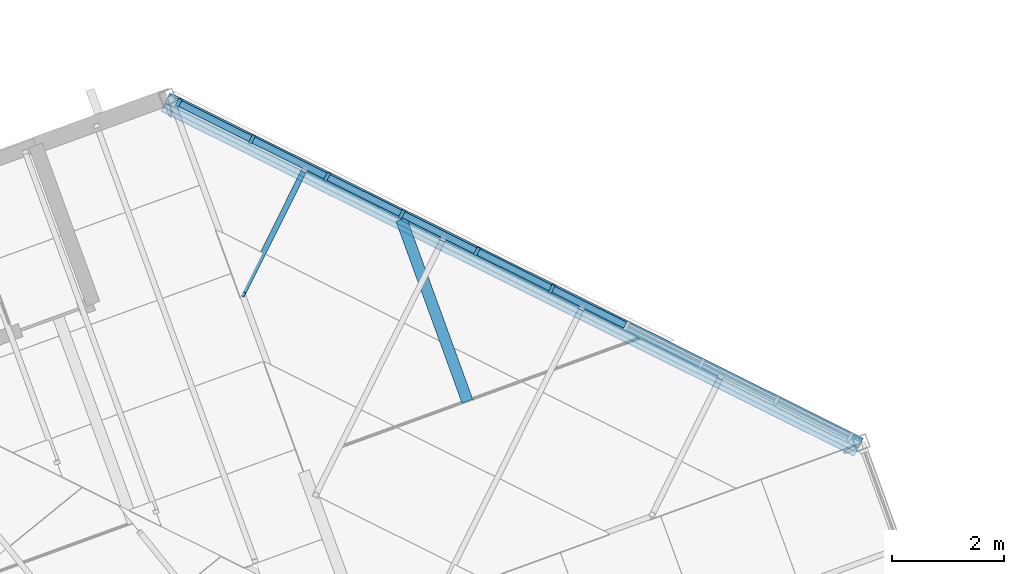
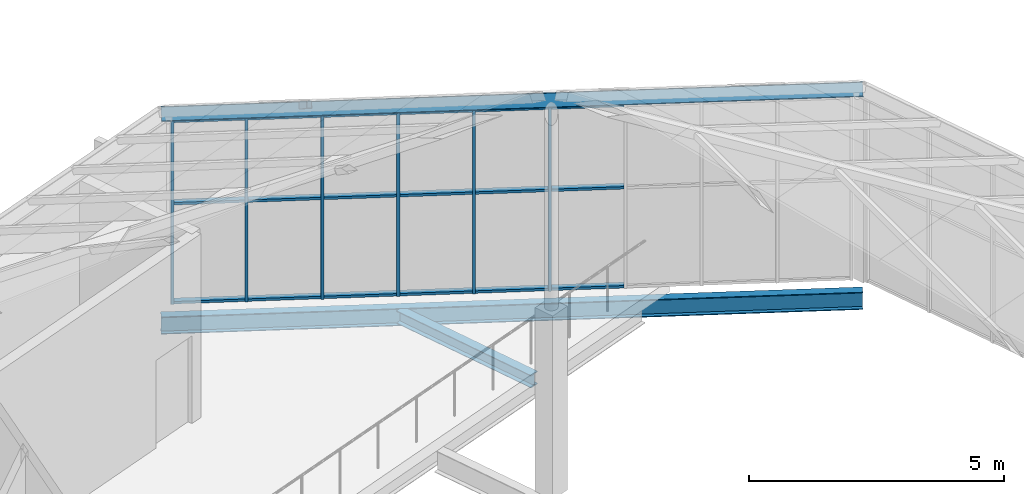
# One storey, part 26 of 95: 25 members, 3 beams, 1 element without a shape of its own.
"""IFC4 building model written with IfcOpenShell, lengths in metres."""

import ifcopenshell
import ifcopenshell.guid

model = None  # the IFC model being written
_history = None  # IfcOwnerHistory: only IFC2X3 demands one
_inside = {}  # id of a spatial element -> (the spatial element, [elements in it])
_under = {}  # id of a project, library or spatial element -> (it, [spatial elements below it])
_declared = {}  # id of a project -> (the project, [libraries it declares])
_typed = {}  # id of a type object -> (the type object, [elements of that type])
_made_of = {}  # id of a material, layer set ... -> (it, [elements and type objects made of it])


def new_model(schema):
    """Start an empty IFC model of exactly this schema.

    Asked for "IFC4X3", IfcOpenShell would pick the latest addendum, in which some entities
    have other attributes; the version numbers below select the first issue.
    IFC2X3 requires an IfcOwnerHistory on every rooted entity: one is made here for all.
    """
    global model, _history
    if schema == "IFC4X3":
        model = ifcopenshell.file(schema_version=(4, 3, 0, 0))
    else:
        model = ifcopenshell.file(schema=schema)
    _inside.clear()
    _under.clear()
    _declared.clear()
    _typed.clear()
    _made_of.clear()
    _history = None
    if model.schema == "IFC2X3":
        org = make("IfcOrganization", Name="unknown")
        user = make(
            "IfcPersonAndOrganization",
            ThePerson=make("IfcPerson", FamilyName="unknown"),
            TheOrganization=org,
        )
        app = make(
            "IfcApplication",
            ApplicationDeveloper=org,
            Version="unknown",
            ApplicationFullName="unknown",
            ApplicationIdentifier="unknown",
        )
        _history = make(
            "IfcOwnerHistory",
            OwningUser=user,
            OwningApplication=app,
            ChangeAction="ADDED",
            CreationDate=0,
        )
    return model


def make(cls, **values):
    """One entity of the class cls with the attributes given. An attribute that is None is left unset."""
    return model.create_entity(
        cls, **{name: value for name, value in values.items() if value is not None}
    )


def rooted(cls, **values):
    """An entity with a GlobalId (a new one), such as an element, a storey or a relation."""
    return make(cls, GlobalId=ifcopenshell.guid.new(), OwnerHistory=_history, **values)


def si_unit(unit_type, name, prefix=None):
    """IfcSIUnit, for example si_unit("LENGTHUNIT", "METRE", prefix="MILLI")."""
    return make("IfcSIUnit", UnitType=unit_type, Prefix=prefix, Name=name)


def assignment(units):
    """IfcUnitAssignment: the units of a project."""
    return None if units is None else make("IfcUnitAssignment", Units=units)


def point(xyz):
    """IfcCartesianPoint."""
    return None if xyz is None else make("IfcCartesianPoint", Coordinates=xyz)


def direction(xyz):
    """IfcDirection."""
    return None if xyz is None else make("IfcDirection", DirectionRatios=xyz)


def frame(location, z_axis=None, x_axis=None):
    """IfcAxis2Placement3D, a coordinate frame: its origin and axes. An axis left out is left unset."""
    return make(
        "IfcAxis2Placement3D",
        Location=point(location),
        Axis=direction(z_axis),
        RefDirection=direction(x_axis),
    )


def frame_2d(location, x_axis=None):
    """IfcAxis2Placement2D, a coordinate frame in the plane: its origin and x axis."""
    return make(
        "IfcAxis2Placement2D", Location=point(location), RefDirection=direction(x_axis)
    )


def origin():
    """The frame at (0, 0, 0) with its axes left unset."""
    return frame((0.0, 0.0, 0.0))


def origin_2d():
    """The frame at (0, 0) in the plane with its x axis left unset."""
    return frame_2d((0.0, 0.0))


def place(relative_to, where):
    """IfcLocalPlacement: puts the frame where relative to a parent placement (None: the world)."""
    return make(
        "IfcLocalPlacement", PlacementRelTo=relative_to, RelativePlacement=where
    )


def context(
    kind, dimensions, precision=None, world=None, true_north=None, identifier=None
):
    """IfcGeometricRepresentationContext, for example the 3D "Model" context."""
    return make(
        "IfcGeometricRepresentationContext",
        ContextIdentifier=identifier,
        ContextType=kind,
        CoordinateSpaceDimension=dimensions,
        Precision=precision,
        WorldCoordinateSystem=world,
        TrueNorth=true_north,
    )


def subcontext(parent, identifier, kind, view, scale=None):
    """IfcGeometricRepresentationSubContext, for example "Body" below "Model"."""
    return make(
        "IfcGeometricRepresentationSubContext",
        ContextIdentifier=identifier,
        ContextType=kind,
        ParentContext=parent,
        TargetScale=scale,
        TargetView=view,
    )


def project(units=None, contexts=None):
    """IfcProject with its units and contexts."""
    return rooted(
        "IfcProject",
        Name="project",
        RepresentationContexts=contexts,
        UnitsInContext=assignment(units),
    )


def spatial(cls, under=None, at=None, **own):
    """A site, building, storey or space (cls), placed at a placement, below another one or the project."""
    s = rooted(cls, ObjectPlacement=at, **own)
    if under is not None:
        _under.setdefault(under.id(), (under, []))[1].append(s)
    return s


def profile(cls, at=None, kind="AREA", **sizes):
    """A parametric profile (cls). Its sizes go by their IFC names, for example OverallWidth=200.0."""
    return make(cls, ProfileType=kind, Position=at, **sizes)


def rectangle(**sizes):
    """IfcRectangleProfileDef."""
    return profile("IfcRectangleProfileDef", **sizes)


def hollow_rectangle(**sizes):
    """IfcRectangleHollowProfileDef."""
    return profile("IfcRectangleHollowProfileDef", **sizes)


def i_section(**sizes):
    """IfcIShapeProfileDef."""
    return profile("IfcIShapeProfileDef", **sizes)


def extrude(swept, where, along, depth):
    """IfcExtrudedAreaSolid: the profile swept, set in the frame where, extruded along a direction by depth."""
    return make(
        "IfcExtrudedAreaSolid",
        SweptArea=swept,
        Position=where,
        ExtrudedDirection=direction(along),
        Depth=depth,
    )


def shape(context_of_items, identifier, shape_type, items):
    """IfcShapeRepresentation: the items that make up one representation, for example the "Body"."""
    return make(
        "IfcShapeRepresentation",
        ContextOfItems=context_of_items,
        RepresentationIdentifier=identifier,
        RepresentationType=shape_type,
        Items=items,
    )


def material(Name=None, Category=None):
    """IfcMaterial."""
    return make("IfcMaterial", Name=Name, Category=Category)


def layer(
    of_material, thickness, ventilated=None, Name=None, Category=None, Priority=None
):
    """IfcMaterialLayer: one layer of a wall or slab, of a material (None: an air gap)."""
    return make(
        "IfcMaterialLayer",
        Material=of_material,
        LayerThickness=thickness,
        IsVentilated=ventilated,
        Name=Name,
        Category=Category,
        Priority=Priority,
    )


def layer_set(layers, Name=None):
    """IfcMaterialLayerSet."""
    return make("IfcMaterialLayerSet", MaterialLayers=layers, LayerSetName=Name)


def material_profile(
    of_material, cross_section, Name=None, Category=None, Priority=None
):
    """IfcMaterialProfile: a cross section and its material."""
    return make(
        "IfcMaterialProfile",
        Name=Name,
        Material=of_material,
        Profile=cross_section,
        Priority=Priority,
        Category=Category,
    )


def profile_set(profiles, Name=None, composite=None):
    """IfcMaterialProfileSet."""
    return make(
        "IfcMaterialProfileSet",
        Name=Name,
        MaterialProfiles=profiles,
        CompositeProfile=composite,
    )


def made_of(thing, what):
    """Note that an element or type object is made of a material, layer set ...; save() writes the relation."""
    if what is not None:
        _made_of.setdefault(what.id(), (what, []))[1].append(thing)
    return thing


def type_object(cls, material=None, **own):
    """A type object (cls), such as IfcWallType, which elements share."""
    return made_of(rooted(cls, **own), material)


def element(
    cls,
    number,
    at=None,
    inside=None,
    cuts=None,
    type_object=None,
    material=None,
    context=None,
    identifier="Body",
    shape_type=None,
    held_by="IfcProductDefinitionShape",
    body=None,
    shapes=None,
    **own,
):
    """One element of the class cls, such as IfcWall. Its Tag is "e" and its number.

    at: its placement. inside: the storey or other place that contains it. cuts: it is an
    opening in that element (IfcRelVoidsElement). A single representation is given by context,
    identifier, shape_type and body (its items); several are given by shapes. held_by: the class
    of the entity that holds the representations. save() writes the other relations.
    """
    e = rooted(cls, Tag="e%d" % number, ObjectPlacement=at, **own)
    if body is not None:
        shapes = [shape(context, identifier, shape_type, body)]
    if shapes is not None:
        e.Representation = make(held_by, Representations=shapes)
    if inside is not None:
        _inside.setdefault(inside.id(), (inside, []))[1].append(e)
    if cuts is not None:
        rooted(
            "IfcRelVoidsElement", RelatingBuildingElement=cuts, RelatedOpeningElement=e
        )
    if type_object is not None:
        _typed.setdefault(type_object.id(), (type_object, []))[1].append(e)
    return made_of(e, material)


def aggregate(whole, parts):
    """IfcRelAggregates: a whole, such as a stair, and the parts it consists of."""
    return rooted("IfcRelAggregates", RelatingObject=whole, RelatedObjects=parts)


def save(model, path):
    """Write the relations noted so far, then the file.

    IfcRelAggregates (storeys below a building ...), IfcRelContainedInSpatialStructure (elements
    in a storey), IfcRelDefinesByType, IfcRelAssociatesMaterial and IfcRelDeclares: one each for
    every whole, place, type object, material and project.
    """
    for whole, parts in _under.values():
        aggregate(whole, parts)
    for where, things in _inside.values():
        rooted(
            "IfcRelContainedInSpatialStructure",
            RelatedElements=things,
            RelatingStructure=where,
        )
    for kind, things in _typed.values():
        rooted("IfcRelDefinesByType", RelatedObjects=things, RelatingType=kind)
    for what, things in _made_of.values():
        rooted("IfcRelAssociatesMaterial", RelatedObjects=things, RelatingMaterial=what)
    for by, libraries in _declared.values():
        rooted("IfcRelDeclares", RelatingContext=by, RelatedDefinitions=libraries)
    model.write(path)


model = new_model("IFC4")

# Units and contexts
model_context = context("Model", 3, precision=1e-05, world=origin(), true_north=direction((0.0, 1.0)))
body_context = subcontext(model_context, "Body", "Model", "MODEL_VIEW")
ifc_project = project(units=[si_unit("LENGTHUNIT", "METRE"), si_unit("AREAUNIT", "SQUARE_METRE"), si_unit("VOLUMEUNIT", "CUBIC_METRE"), si_unit("PLANEANGLEUNIT", "RADIAN"), si_unit("MASSUNIT", "GRAM", prefix="KILO")], contexts=[model_context])

# Site, building, storey
site_placement = place(None, origin())
site = spatial("IfcSite", under=ifc_project, at=site_placement, CompositionType="ELEMENT")
building_placement = place(site_placement, origin())
building = spatial("IfcBuilding", under=site, at=building_placement, Name="Windward Yard Aquatics Centre", CompositionType="ELEMENT")
storey_placement = place(building_placement, frame((0.0, 0.0, 9.39990234375)))
storey = spatial("IfcBuildingStorey", under=building, at=storey_placement, Name="L02", CompositionType="ELEMENT", Elevation=9.39990234375)

# Member
ifc_material_1 = material(Name="Steel S355", Category="steel")
ifc_material_profile_1 = material_profile(ifc_material_1, hollow_rectangle(XDim=0.10009765625, YDim=0.14990234375, WallThickness=0.006103515625, at=origin_2d()), Name="RHS150x100x6")
ifc_profile_set_1 = profile_set([ifc_material_profile_1], Name="Steel S355")
member_type_1 = type_object("IfcMemberType", Name="F RHS150x100x6 rafter", PredefinedType="RAFTER", material=ifc_profile_set_1)
member_1_placement = place(storey_placement, frame((33.947998046875, 103.359375, 4.6591796875), z_axis=(-0.364460338987, -0.731906734781, 0.575744034175), x_axis=(0.895156415664, -0.44575216376, 0.0)))
element("IfcMember", 1, at=member_1_placement, inside=storey, type_object=member_type_1, Name="F.RF.R.04.01", PredefinedType="RAFTER", context=body_context, shape_type="SweptSolid", body=[
    extrude(hollow_rectangle(XDim=0.10009765625, YDim=0.14990234375, WallThickness=0.006103515625, at=origin_2d()), origin(), (0.0, 0.0, 1.0), 3.025146484375),
])

# Beams
ifc_material_profile_2 = material_profile(ifc_material_1, i_section(OverallWidth=0.202880859375, OverallDepth=0.302001953125, WebThickness=0.007568359375, FlangeThickness=0.01318359375, at=origin_2d()), Name="W310x60")
ifc_profile_set_2 = profile_set([ifc_material_profile_2], Name="Steel S355")
beam_type_1 = type_object("IfcBeamType", Name="F W310x60 beam", PredefinedType="BEAM", material=ifc_profile_set_2)
beam_1_placement = place(storey_placement, frame((43.80615234375, 98.402099609375, 4.59716796875), z_axis=(-0.895176425492, 0.4457119779, 0.0), x_axis=(-0.364425484399, -0.731919083753, 0.575750398314)))
element("IfcBeam", 2, at=beam_1_placement, inside=storey, type_object=beam_type_1, Name="F.RF.E.17", PredefinedType="BEAM", context=body_context, shape_type="SweptSolid", body=[
    extrude(i_section(OverallWidth=0.202880859375, OverallDepth=0.302001953125, WebThickness=0.007568359375, FlangeThickness=0.01318359375, at=origin_2d()), origin(), (0.0, 0.0, 1.0), 13.79296875),
])
ifc_material_profile_3 = material_profile(ifc_material_1, i_section(OverallWidth=0.202880859375, OverallDepth=0.302001953125, WebThickness=0.007568359375, FlangeThickness=0.01318359375, at=origin_2d()), Name="W310x60")
ifc_profile_set_3 = profile_set([ifc_material_profile_3], Name="Steel S355")
beam_type_2 = type_object("IfcBeamType", Name="F W310x60 joist", PredefinedType="JOIST", material=ifc_profile_set_3)
beam_2_placement = place(storey_placement, frame((36.845703125, 99.236328125, -0.430908203125), z_axis=(-0.342027569468, 0.939689917858, 0.0), x_axis=(-0.939689917858, -0.342027569468, 0.0)))
element("IfcBeam", 3, at=beam_2_placement, inside=storey, type_object=beam_type_2, Name="F.BM.L02.S11", PredefinedType="JOIST", context=body_context, shape_type="SweptSolid", body=[
    extrude(i_section(OverallWidth=0.202880859375, OverallDepth=0.302001953125, WebThickness=0.007568359375, FlangeThickness=0.01318359375, at=origin_2d()), origin(), (0.0, 0.0, 1.0), 3.44482421875),
])
ifc_material_profile_4 = material_profile(ifc_material_1, i_section(OverallWidth=0.180908203125, OverallDepth=0.4169921875, WebThickness=0.010986328125, FlangeThickness=0.018310546875, at=origin_2d()), Name="W410x85")
ifc_profile_set_4 = profile_set([ifc_material_profile_4], Name="Steel S355")
beam_type_3 = type_object("IfcBeamType", Name="F W410x85 beam", PredefinedType="BEAM", material=ifc_profile_set_4)
beam_3_placement = place(storey_placement, frame((43.854248046875, 98.498291015625, -0.48828125), z_axis=(-0.895179941741, 0.445704915729, 0.0), x_axis=(-0.445704915729, -0.895179941741, 0.0)))
element("IfcBeam", 4, at=beam_3_placement, inside=storey, type_object=beam_type_3, Name="F.BM.L02.R03", PredefinedType="BEAM", context=body_context, shape_type="SweptSolid", body=[
    extrude(i_section(OverallWidth=0.180908203125, OverallDepth=0.4169921875, WebThickness=0.010986328125, FlangeThickness=0.018310546875, at=origin_2d()), origin(), (0.0, 0.0, 1.0), 13.793212890625),
])

# Curtain wall, members
ifc_material_2 = material(Name="Aluminium, anodised", Category="aluminium")
ifc_layer = layer(ifc_material_2, 0.14990234375)
ifc_layer_set = layer_set([ifc_layer], Name="F curtain wall 150 aluminium")
curtain_wall_type = type_object("IfcCurtainWallType", Name="F curtain wall 150 aluminium", PredefinedType="NOTDEFINED", material=ifc_layer_set)
curtain_wall_placement = place(storey_placement, origin())
curtain_wall = element("IfcCurtainWall", 5, at=curtain_wall_placement, inside=storey, type_object=curtain_wall_type, Name="Foyer glazing L02 2", PredefinedType="NOTDEFINED")
ifc_material_profile_5 = material_profile(ifc_material_2, rectangle(XDim=0.159912109375, YDim=0.06005859375, at=origin_2d()), Name="MULLION 60x160")
ifc_profile_set_5 = profile_set([ifc_material_profile_5], Name="Aluminium, anodised")
member_type_2 = type_object("IfcMemberType", Name="F mullion 60x160 aluminium", PredefinedType="MULLION", material=ifc_profile_set_5)
member_2_placement = place(storey_placement, frame((38.34765625, 101.240234375, 0.0), z_axis=(0.0, 0.0, 1.0), x_axis=(-0.445706968105, -0.895178919872, 0.0)))
member_2 = element("IfcMember", 6, at=member_2_placement, type_object=member_type_2, Name="FCW2 mullion 5", PredefinedType="MULLION", context=body_context, shape_type="SweptSolid", body=[
    extrude(rectangle(XDim=0.159912109375, YDim=0.06005859375, at=origin_2d()), origin(), (0.0, 0.0, 1.0), 4.400146484375),
])
member_3_placement = place(storey_placement, frame((37.013427734375, 101.904296875, 0.0), z_axis=(0.0, 0.0, 1.0), x_axis=(-0.445706968105, -0.895178919872, 0.0)))
member_3 = element("IfcMember", 7, at=member_3_placement, type_object=member_type_2, Name="FCW2 mullion 6", PredefinedType="MULLION", context=body_context, shape_type="SweptSolid", body=[
    extrude(rectangle(XDim=0.159912109375, YDim=0.06005859375, at=origin_2d()), origin(), (0.0, 0.0, 1.0), 4.400146484375),
])
member_4_placement = place(storey_placement, frame((35.679443359375, 102.568603515625, 0.0), z_axis=(0.0, 0.0, 1.0), x_axis=(-0.445706968105, -0.895178919872, 0.0)))
member_4 = element("IfcMember", 8, at=member_4_placement, type_object=member_type_2, Name="FCW2 mullion 7", PredefinedType="MULLION", context=body_context, shape_type="SweptSolid", body=[
    extrude(rectangle(XDim=0.159912109375, YDim=0.06005859375, at=origin_2d()), origin(), (0.0, 0.0, 1.0), 4.400146484375),
])
member_5_placement = place(storey_placement, frame((34.34521484375, 103.23291015625, 0.0), z_axis=(0.0, 0.0, 1.0), x_axis=(-0.445706968105, -0.895178919872, 0.0)))
member_5 = element("IfcMember", 9, at=member_5_placement, type_object=member_type_2, Name="FCW2 mullion 8", PredefinedType="MULLION", context=body_context, shape_type="SweptSolid", body=[
    extrude(rectangle(XDim=0.159912109375, YDim=0.06005859375, at=origin_2d()), origin(), (0.0, 0.0, 1.0), 4.400146484375),
])
member_6_placement = place(storey_placement, frame((33.01123046875, 103.897216796875, 0.0), z_axis=(0.0, 0.0, 1.0), x_axis=(-0.445706968105, -0.895178919872, 0.0)))
member_6 = element("IfcMember", 10, at=member_6_placement, type_object=member_type_2, Name="FCW2 mullion 9", PredefinedType="MULLION", context=body_context, shape_type="SweptSolid", body=[
    extrude(rectangle(XDim=0.159912109375, YDim=0.06005859375, at=origin_2d()), origin(), (0.0, 0.0, 1.0), 4.400146484375),
])
member_7_placement = place(storey_placement, frame((31.703857421875, 104.548095703125, 0.0), z_axis=(0.0, 0.0, 1.0), x_axis=(-0.445706968105, -0.895178919872, 0.0)))
member_7 = element("IfcMember", 11, at=member_7_placement, type_object=member_type_2, Name="FCW2 mullion 10", PredefinedType="MULLION", context=body_context, shape_type="SweptSolid", body=[
    extrude(rectangle(XDim=0.159912109375, YDim=0.06005859375, at=origin_2d()), origin(), (0.0, 0.0, 1.0), 4.400146484375),
])
ifc_material_profile_6 = material_profile(ifc_material_2, rectangle(XDim=0.1201171875, YDim=0.06005859375, at=origin_2d()), Name="TRANSOM 60x120")
ifc_profile_set_6 = profile_set([ifc_material_profile_6], Name="Aluminium, anodised")
member_type_3 = type_object("IfcMemberType", Name="F transom 60x120 aluminium", PredefinedType="USERDEFINED", material=ifc_profile_set_6)
member_8_placement = place(storey_placement, frame((39.65478515625, 100.58935546875, 0.030029296875), z_axis=(-0.895177031521, 0.445710760737, 0.0), x_axis=(-0.445710760737, -0.895177031521, 0.0)))
member_8 = element("IfcMember", 12, at=member_8_placement, type_object=member_type_3, Name="FCW2 transom 4.1", ObjectType="TRANSOM", PredefinedType="USERDEFINED", context=body_context, shape_type="SweptSolid", body=[
    extrude(rectangle(XDim=0.1201171875, YDim=0.06005859375, at=origin_2d()), origin(), (0.0, 0.0, 1.0), 1.43017578125),
])
member_9_placement = place(storey_placement, frame((39.65478515625, 100.58935546875, 2.400146484375), z_axis=(-0.895177031521, 0.445710760737, 0.0), x_axis=(-0.445710760737, -0.895177031521, 0.0)))
member_9 = element("IfcMember", 13, at=member_9_placement, type_object=member_type_3, Name="FCW2 transom 4.2", ObjectType="TRANSOM", PredefinedType="USERDEFINED", context=body_context, shape_type="SweptSolid", body=[
    extrude(rectangle(XDim=0.1201171875, YDim=0.06005859375, at=origin_2d()), origin(), (0.0, 0.0, 1.0), 1.43017578125),
])
member_10_placement = place(storey_placement, frame((39.65478515625, 100.58935546875, 4.3701171875), z_axis=(-0.895177031521, 0.445710760737, 0.0), x_axis=(-0.445710760737, -0.895177031521, 0.0)))
member_10 = element("IfcMember", 14, at=member_10_placement, type_object=member_type_3, Name="FCW2 transom 4.3", ObjectType="TRANSOM", PredefinedType="USERDEFINED", context=body_context, shape_type="SweptSolid", body=[
    extrude(rectangle(XDim=0.1201171875, YDim=0.06005859375, at=origin_2d()), origin(), (0.0, 0.0, 1.0), 1.43017578125),
])
member_11_placement = place(storey_placement, frame((38.32080078125, 101.25341796875, 0.030029296875), z_axis=(-0.895142839047, 0.445779427186, 0.0), x_axis=(-0.445779427186, -0.895142839047, 0.0)))
member_11 = element("IfcMember", 15, at=member_11_placement, type_object=member_type_3, Name="FCW2 transom 5.1", ObjectType="TRANSOM", PredefinedType="USERDEFINED", context=body_context, shape_type="SweptSolid", body=[
    extrude(rectangle(XDim=0.1201171875, YDim=0.06005859375, at=origin_2d()), origin(), (0.0, 0.0, 1.0), 1.430419921875),
])
member_12_placement = place(storey_placement, frame((38.32080078125, 101.25341796875, 2.400146484375), z_axis=(-0.895142839047, 0.445779427186, 0.0), x_axis=(-0.445779427186, -0.895142839047, 0.0)))
member_12 = element("IfcMember", 16, at=member_12_placement, type_object=member_type_3, Name="FCW2 transom 5.2", ObjectType="TRANSOM", PredefinedType="USERDEFINED", context=body_context, shape_type="SweptSolid", body=[
    extrude(rectangle(XDim=0.1201171875, YDim=0.06005859375, at=origin_2d()), origin(), (0.0, 0.0, 1.0), 1.430419921875),
])
member_13_placement = place(storey_placement, frame((38.32080078125, 101.25341796875, 4.3701171875), z_axis=(-0.895142839047, 0.445779427186, 0.0), x_axis=(-0.445779427186, -0.895142839047, 0.0)))
member_13 = element("IfcMember", 17, at=member_13_placement, type_object=member_type_3, Name="FCW2 transom 5.3", ObjectType="TRANSOM", PredefinedType="USERDEFINED", context=body_context, shape_type="SweptSolid", body=[
    extrude(rectangle(XDim=0.1201171875, YDim=0.06005859375, at=origin_2d()), origin(), (0.0, 0.0, 1.0), 1.430419921875),
])
member_14_placement = place(storey_placement, frame((36.986572265625, 101.917724609375, 0.030029296875), z_axis=(-0.895177031521, 0.445710760737, 0.0), x_axis=(-0.445710760737, -0.895177031521, 0.0)))
member_14 = element("IfcMember", 18, at=member_14_placement, type_object=member_type_3, Name="FCW2 transom 6.1", ObjectType="TRANSOM", PredefinedType="USERDEFINED", context=body_context, shape_type="SweptSolid", body=[
    extrude(rectangle(XDim=0.1201171875, YDim=0.06005859375, at=origin_2d()), origin(), (0.0, 0.0, 1.0), 1.43017578125),
])
member_15_placement = place(storey_placement, frame((36.986572265625, 101.917724609375, 2.400146484375), z_axis=(-0.895177031521, 0.445710760737, 0.0), x_axis=(-0.445710760737, -0.895177031521, 0.0)))
member_15 = element("IfcMember", 19, at=member_15_placement, type_object=member_type_3, Name="FCW2 transom 6.2", ObjectType="TRANSOM", PredefinedType="USERDEFINED", context=body_context, shape_type="SweptSolid", body=[
    extrude(rectangle(XDim=0.1201171875, YDim=0.06005859375, at=origin_2d()), origin(), (0.0, 0.0, 1.0), 1.43017578125),
])
member_16_placement = place(storey_placement, frame((36.986572265625, 101.917724609375, 4.3701171875), z_axis=(-0.895177031521, 0.445710760737, 0.0), x_axis=(-0.445710760737, -0.895177031521, 0.0)))
member_16 = element("IfcMember", 20, at=member_16_placement, type_object=member_type_3, Name="FCW2 transom 6.3", ObjectType="TRANSOM", PredefinedType="USERDEFINED", context=body_context, shape_type="SweptSolid", body=[
    extrude(rectangle(XDim=0.1201171875, YDim=0.06005859375, at=origin_2d()), origin(), (0.0, 0.0, 1.0), 1.43017578125),
])
member_17_placement = place(storey_placement, frame((35.652587890625, 102.58203125, 0.030029296875), z_axis=(-0.895210935678, 0.445642660258, 0.0), x_axis=(-0.445642660258, -0.895210935678, 0.0)))
member_17 = element("IfcMember", 21, at=member_17_placement, type_object=member_type_3, Name="FCW2 transom 7.1", ObjectType="TRANSOM", PredefinedType="USERDEFINED", context=body_context, shape_type="SweptSolid", body=[
    extrude(rectangle(XDim=0.1201171875, YDim=0.06005859375, at=origin_2d()), origin(), (0.0, 0.0, 1.0), 1.430419921875),
])
member_18_placement = place(storey_placement, frame((35.652587890625, 102.58203125, 2.400146484375), z_axis=(-0.895210935678, 0.445642660258, 0.0), x_axis=(-0.445642660258, -0.895210935678, 0.0)))
member_18 = element("IfcMember", 22, at=member_18_placement, type_object=member_type_3, Name="FCW2 transom 7.2", ObjectType="TRANSOM", PredefinedType="USERDEFINED", context=body_context, shape_type="SweptSolid", body=[
    extrude(rectangle(XDim=0.1201171875, YDim=0.06005859375, at=origin_2d()), origin(), (0.0, 0.0, 1.0), 1.430419921875),
])
member_19_placement = place(storey_placement, frame((35.652587890625, 102.58203125, 4.3701171875), z_axis=(-0.895210935678, 0.445642660258, 0.0), x_axis=(-0.445642660258, -0.895210935678, 0.0)))
member_19 = element("IfcMember", 23, at=member_19_placement, type_object=member_type_3, Name="FCW2 transom 7.3", ObjectType="TRANSOM", PredefinedType="USERDEFINED", context=body_context, shape_type="SweptSolid", body=[
    extrude(rectangle(XDim=0.1201171875, YDim=0.06005859375, at=origin_2d()), origin(), (0.0, 0.0, 1.0), 1.430419921875),
])
member_20_placement = place(storey_placement, frame((34.318359375, 103.246337890625, 0.030029296875), z_axis=(-0.895177031521, 0.445710760737, 0.0), x_axis=(-0.445710760737, -0.895177031521, 0.0)))
member_20 = element("IfcMember", 24, at=member_20_placement, type_object=member_type_3, Name="FCW2 transom 8.1", ObjectType="TRANSOM", PredefinedType="USERDEFINED", context=body_context, shape_type="SweptSolid", body=[
    extrude(rectangle(XDim=0.1201171875, YDim=0.06005859375, at=origin_2d()), origin(), (0.0, 0.0, 1.0), 1.43017578125),
])
member_21_placement = place(storey_placement, frame((34.318359375, 103.246337890625, 2.400146484375), z_axis=(-0.895177031521, 0.445710760737, 0.0), x_axis=(-0.445710760737, -0.895177031521, 0.0)))
member_21 = element("IfcMember", 25, at=member_21_placement, type_object=member_type_3, Name="FCW2 transom 8.2", ObjectType="TRANSOM", PredefinedType="USERDEFINED", context=body_context, shape_type="SweptSolid", body=[
    extrude(rectangle(XDim=0.1201171875, YDim=0.06005859375, at=origin_2d()), origin(), (0.0, 0.0, 1.0), 1.43017578125),
])
member_22_placement = place(storey_placement, frame((34.318359375, 103.246337890625, 4.3701171875), z_axis=(-0.895177031521, 0.445710760737, 0.0), x_axis=(-0.445710760737, -0.895177031521, 0.0)))
member_22 = element("IfcMember", 26, at=member_22_placement, type_object=member_type_3, Name="FCW2 transom 8.3", ObjectType="TRANSOM", PredefinedType="USERDEFINED", context=body_context, shape_type="SweptSolid", body=[
    extrude(rectangle(XDim=0.1201171875, YDim=0.06005859375, at=origin_2d()), origin(), (0.0, 0.0, 1.0), 1.43017578125),
])
member_23_placement = place(storey_placement, frame((32.984375, 103.910400390625, 0.030029296875), z_axis=(-0.895158156734, 0.445748667336, 0.0), x_axis=(-0.445748667336, -0.895158156734, 0.0)))
member_23 = element("IfcMember", 27, at=member_23_placement, type_object=member_type_3, Name="FCW2 transom 9.1", ObjectType="TRANSOM", PredefinedType="USERDEFINED", context=body_context, shape_type="SweptSolid", body=[
    extrude(rectangle(XDim=0.1201171875, YDim=0.06005859375, at=origin_2d()), origin(), (0.0, 0.0, 1.0), 1.400390625),
])
member_24_placement = place(storey_placement, frame((32.984375, 103.910400390625, 2.400146484375), z_axis=(-0.895158156734, 0.445748667336, 0.0), x_axis=(-0.445748667336, -0.895158156734, 0.0)))
member_24 = element("IfcMember", 28, at=member_24_placement, type_object=member_type_3, Name="FCW2 transom 9.2", ObjectType="TRANSOM", PredefinedType="USERDEFINED", context=body_context, shape_type="SweptSolid", body=[
    extrude(rectangle(XDim=0.1201171875, YDim=0.06005859375, at=origin_2d()), origin(), (0.0, 0.0, 1.0), 1.400390625),
])
member_25_placement = place(storey_placement, frame((32.984375, 103.910400390625, 4.3701171875), z_axis=(-0.895158156734, 0.445748667336, 0.0), x_axis=(-0.445748667336, -0.895158156734, 0.0)))
member_25 = element("IfcMember", 29, at=member_25_placement, type_object=member_type_3, Name="FCW2 transom 9.3", ObjectType="TRANSOM", PredefinedType="USERDEFINED", context=body_context, shape_type="SweptSolid", body=[
    extrude(rectangle(XDim=0.1201171875, YDim=0.06005859375, at=origin_2d()), origin(), (0.0, 0.0, 1.0), 1.400390625),
])
aggregate(curtain_wall, [member_2, member_3, member_4, member_5, member_6, member_7, member_8, member_9, member_10, member_11, member_12, member_13, member_14, member_15, member_16, member_17, member_18, member_19, member_20, member_21, member_22, member_23, member_24, member_25])

save(model, "model.ifc")
